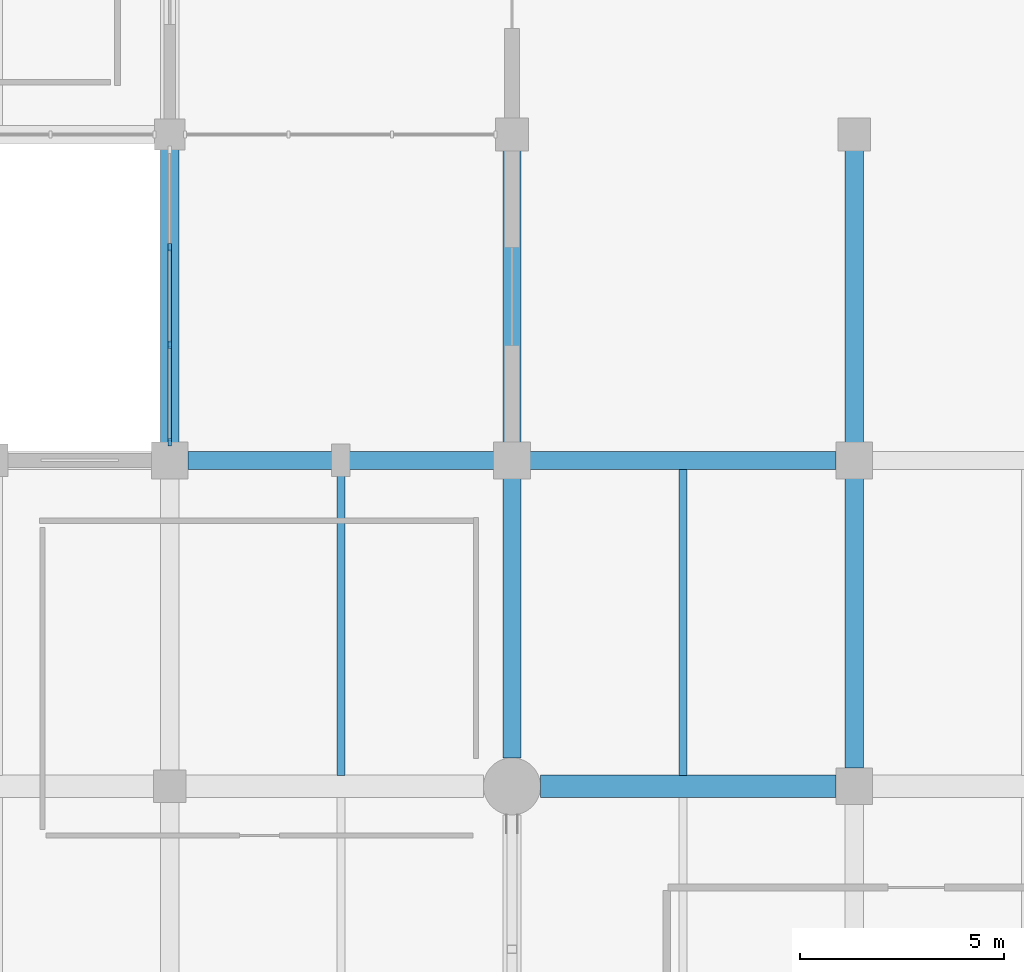
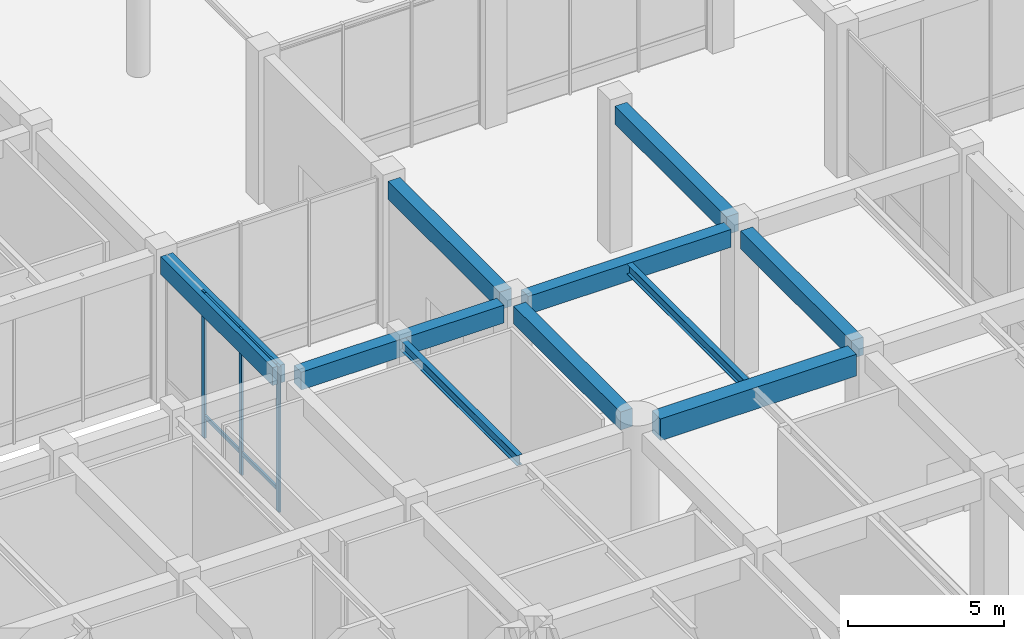
# One storey, part 20 of 76: 10 beams, 7 members, 1 element without a shape of its own.
"""IFC4 building model written with IfcOpenShell, lengths in metres."""

from ifc_helpers import new_model, si_unit, direction, frame, origin, origin_2d, place, context, subcontext, project, spatial, rectangle, i_section, extrude, material, layer, layer_set, material_profile, profile_set, type_object, element, aggregate, save


model = new_model("IFC4")

# Units and contexts
model_context = context("Model", 3, precision=1e-05, world=origin(), true_north=direction((0.0, 1.0)))
body_context = subcontext(model_context, "Body", "Model", "MODEL_VIEW")
ifc_project = project(units=[si_unit("LENGTHUNIT", "METRE"), si_unit("AREAUNIT", "SQUARE_METRE"), si_unit("VOLUMEUNIT", "CUBIC_METRE"), si_unit("PLANEANGLEUNIT", "RADIAN"), si_unit("MASSUNIT", "GRAM", prefix="KILO")], contexts=[model_context])

# Site, building, storey
site_placement = place(None, origin())
site = spatial("IfcSite", under=ifc_project, at=site_placement, CompositionType="ELEMENT")
building_placement = place(site_placement, origin())
building = spatial("IfcBuilding", under=site, at=building_placement, Name="Naruveol Harbour Congress Hotel", CompositionType="ELEMENT")
storey_placement = place(building_placement, origin())
storey = spatial("IfcBuildingStorey", under=building, at=storey_placement, Name="L00", CompositionType="ELEMENT", Elevation=0.0)

# Beams
ifc_material_1 = material(Name="Concrete C40/50", Category="concrete")
ifc_material_profile_1 = material_profile(ifc_material_1, rectangle(XDim=0.550048828125, YDim=0.85009765625, at=origin_2d()), Name="RCB-550x850")
ifc_profile_set_1 = profile_set([ifc_material_profile_1], Name="Concrete C40/50")
beam_type_1 = type_object("IfcBeamType", Name="RC PRIMARY GIRDER 550X850", PredefinedType="BEAM", material=ifc_profile_set_1)
beam_1_placement = place(storey_placement, frame((51.095947265625, 48.0, 5.27490234375), z_axis=(1.0, 0.0, 0.0), x_axis=(0.0, 1.0, 0.0)))
element("IfcBeam", 1, at=beam_1_placement, inside=storey, type_object=beam_type_1, Name="Floor girder L01 CB2", PredefinedType="BEAM", context=body_context, shape_type="SweptSolid", body=[
    extrude(rectangle(XDim=0.550048828125, YDim=0.85009765625, at=origin_2d()), origin(), (0.0, 0.0, 1.0), 7.258056640625),
])
ifc_material_2 = material(Name="Concrete C40/50", Category="concrete")
ifc_material_profile_2 = material_profile(ifc_material_2, rectangle(XDim=0.449951171875, YDim=0.699951171875, at=origin_2d()), Name="RCB-450x700")
ifc_profile_set_2 = profile_set([ifc_material_profile_2], Name="Concrete C40/50")
beam_type_2 = type_object("IfcBeamType", Name="RC SPANDREL BEAM 450X700", PredefinedType="SPANDREL", material=ifc_profile_set_2)
for number, where, z_axis, x_axis, name in (
    (2, (42.446044921875, 56.0, 5.330078125), (1.0, 0.0, 0.0), (0.0, 1.0, 0.0), "Floor girder L01 SPB1"),
    (3, (50.845947265625, 56.0, 5.35009765625), (1.0, 0.0, 0.0), (0.0, 1.0, 0.0), "Floor girder L01 SPB1"),
):
    element("IfcBeam", number, at=place(storey_placement, frame(where, z_axis=z_axis, x_axis=x_axis)), inside=storey, type_object=beam_type_2, Name=name, PredefinedType="SPANDREL", context=body_context, shape_type="SweptSolid", body=[
        extrude(rectangle(XDim=0.449951171875, YDim=0.699951171875, at=origin_2d()), origin(), (0.0, 0.0, 1.0), 7.508056640625),
    ])
beam_2_placement = place(storey_placement, frame((42.0, 56.446044921875, 5.330078125), z_axis=(0.0, 1.0, 0.0), x_axis=(-1.0, 0.0, 0.0)))
element("IfcBeam", 4, at=beam_2_placement, inside=storey, type_object=beam_type_2, Name="Transverse girder L01 SPB1", PredefinedType="SPANDREL", context=body_context, shape_type="SweptSolid", body=[
    extrude(rectangle(XDim=0.449951171875, YDim=0.699951171875, at=origin_2d()), origin(), (0.0, 0.0, 1.0), 7.182861328125),
])
beam_3_placement = place(storey_placement, frame((50.39990234375, 48.696044921875, 5.35009765625), z_axis=(0.0, 1.0, 0.0), x_axis=(-1.0, 0.0, 0.0)))
element("IfcBeam", 5, at=beam_3_placement, inside=storey, type_object=beam_type_2, Name="Transverse girder L01 SPB1", PredefinedType="SPANDREL", context=body_context, shape_type="SweptSolid", body=[
    extrude(rectangle(XDim=0.449951171875, YDim=0.699951171875, at=origin_2d()), origin(), (0.0, 0.0, 1.0), 6.85791015625),
])
beam_4_placement = place(storey_placement, frame((50.39990234375, 56.446044921875, 5.35009765625), z_axis=(0.0, 1.0, 0.0), x_axis=(-1.0, 0.0, 0.0)))
element("IfcBeam", 6, at=beam_4_placement, inside=storey, type_object=beam_type_2, Name="Transverse girder L01 SPB1", PredefinedType="SPANDREL", context=body_context, shape_type="SweptSolid", body=[
    extrude(rectangle(XDim=0.449951171875, YDim=0.699951171875, at=origin_2d()), origin(), (0.0, 0.0, 1.0), 7.157958984375),
])
beam_5_placement = place(storey_placement, frame((58.800048828125, 48.446044921875, 5.35009765625), z_axis=(0.0, 1.0, 0.0), x_axis=(-1.0, 0.0, 0.0)))
element("IfcBeam", 7, at=beam_5_placement, inside=storey, type_object=beam_type_2, Name="Transverse girder L01 SPB1", PredefinedType="SPANDREL", context=body_context, shape_type="SweptSolid", body=[
    extrude(rectangle(XDim=0.449951171875, YDim=0.699951171875, at=origin_2d()), origin(), (0.0, 0.0, 1.0), 7.10791015625),
])
beam_6_placement = place(storey_placement, frame((58.800048828125, 56.446044921875, 5.35009765625), z_axis=(0.0, 1.0, 0.0), x_axis=(-1.0, 0.0, 0.0)))
element("IfcBeam", 8, at=beam_6_placement, inside=storey, type_object=beam_type_2, Name="Transverse girder L01 SPB1", PredefinedType="SPANDREL", context=body_context, shape_type="SweptSolid", body=[
    extrude(rectangle(XDim=0.449951171875, YDim=0.699951171875, at=origin_2d()), origin(), (0.0, 0.0, 1.0), 7.157958984375),
])
ifc_material_3 = material(Name="Steel SN490", Category="steel")
ifc_material_profile_3 = material_profile(ifc_material_3, i_section(OverallWidth=0.199951171875, OverallDepth=0.39990234375, WebThickness=0.008056640625, FlangeThickness=0.012939453125, at=origin_2d()), Name="H-400x200x8x13")
ifc_profile_set_3 = profile_set([ifc_material_profile_3], Name="Steel SN490")
beam_type_3 = type_object("IfcBeamType", Name="STEEL SECONDARY JOIST H400", PredefinedType="JOIST", material=ifc_profile_set_3)
for number, where, z_axis, x_axis, name in (
    (9, (46.199951171875, 48.27099609375, 5.47998046875), (0.0, 1.0, 0.0), (-1.0, 0.0, 0.0), "Secondary floor joist L01 SJ1"),
    (10, (54.60009765625, 48.27099609375, 5.5), (0.0, 1.0, 0.0), (-1.0, 0.0, 0.0), "Secondary floor joist L01 SJ1"),
):
    element("IfcBeam", number, at=place(storey_placement, frame(where, z_axis=z_axis, x_axis=x_axis)), inside=storey, type_object=beam_type_3, Name=name, PredefinedType="JOIST", context=body_context, shape_type="SweptSolid", body=[
        extrude(i_section(OverallWidth=0.199951171875, OverallDepth=0.39990234375, WebThickness=0.008056640625, FlangeThickness=0.012939453125, at=origin_2d()), origin(), (0.0, 0.0, 1.0), 7.508056640625),
    ])

# Curtain wall, members
ifc_material_4 = material(Name="Low-E Curtain Wall System", Category="glass")
ifc_layer = layer(ifc_material_4, 0.179931640625)
ifc_layer_set = layer_set([ifc_layer], Name="Low-E Curtain Wall System")
curtain_wall_type = type_object("IfcCurtainWallType", Name="UNITISED CURTAIN WALL CW-SPLW-09 7175X5700", PredefinedType="USERDEFINED", material=ifc_layer_set)
curtain_wall_placement = place(storey_placement, origin())
curtain_wall = element("IfcCurtainWall", 11, at=curtain_wall_placement, inside=storey, type_object=curtain_wall_type, Name="Unitised curtain wall CW-SPLW-09 L00", ObjectType="UNITISED GLAZING", PredefinedType="USERDEFINED")
ifc_material_5 = material(Name="Anodised Aluminium 6063-T6", Category="aluminium")
ifc_material_profile_4 = material_profile(ifc_material_5, rectangle(XDim=0.074951171875, YDim=0.179931640625, at=origin_2d()), Name="ALU-75x180")
ifc_profile_set_4 = profile_set([ifc_material_profile_4], Name="Anodised Aluminium 6063-T6")
member_type_1 = type_object("IfcMemberType", Name="THERMAL ALUMINIUM MULLION 75X180", PredefinedType="MULLION", material=ifc_profile_set_4)
member_1_placement = place(storey_placement, frame((42.0, 56.449951171875, 0.0), z_axis=(0.0, 0.0, 1.0), x_axis=(1.0, 0.0, 0.0)))
member_1 = element("IfcMember", 12, at=member_1_placement, type_object=member_type_1, Name="Curtain wall mullion CW-L00-0010-M0", PredefinedType="MULLION", context=body_context, shape_type="SweptSolid", body=[
    extrude(rectangle(XDim=0.074951171875, YDim=0.179931640625, at=origin_2d()), origin(), (0.0, 0.0, 1.0), 5.699951171875),
])
member_2_placement = place(storey_placement, frame((42.0, 58.841796875, 0.0), z_axis=(0.0, 0.0, 1.0), x_axis=(1.0, 0.0, 0.0)))
member_2 = element("IfcMember", 13, at=member_2_placement, type_object=member_type_1, Name="Curtain wall mullion CW-L00-0010-M1", PredefinedType="MULLION", context=body_context, shape_type="SweptSolid", body=[
    extrude(rectangle(XDim=0.074951171875, YDim=0.179931640625, at=origin_2d()), origin(), (0.0, 0.0, 1.0), 5.699951171875),
])
member_3_placement = place(storey_placement, frame((42.0, 61.2333984375, 0.0), z_axis=(0.0, 0.0, 1.0), x_axis=(1.0, 0.0, 0.0)))
member_3 = element("IfcMember", 14, at=member_3_placement, type_object=member_type_1, Name="Curtain wall mullion CW-L00-0010-M2", PredefinedType="MULLION", context=body_context, shape_type="SweptSolid", body=[
    extrude(rectangle(XDim=0.074951171875, YDim=0.179931640625, at=origin_2d()), origin(), (0.0, 0.0, 1.0), 5.699951171875),
])
ifc_material_6 = material(Name="Anodised Aluminium 6063-T6", Category="aluminium")
ifc_material_profile_5 = material_profile(ifc_material_6, rectangle(XDim=0.074951171875, YDim=0.14990234375, at=origin_2d()), Name="ALU-75x150")
ifc_profile_set_5 = profile_set([ifc_material_profile_5], Name="Anodised Aluminium 6063-T6")
member_type_2 = type_object("IfcMemberType", Name="THERMAL ALUMINIUM TRANSOM 75X150", PredefinedType="USERDEFINED", material=ifc_profile_set_5)
member_4_placement = place(storey_placement, frame((42.0, 56.489990234375, 0.85009765625), z_axis=(0.0, 1.0, 0.0), x_axis=(-1.0, 0.0, 0.0)))
member_4 = element("IfcMember", 15, at=member_4_placement, type_object=member_type_2, Name="Curtain wall transom CW-L00-0010-T0.1", ObjectType="TRANSOM", PredefinedType="USERDEFINED", context=body_context, shape_type="SweptSolid", body=[
    extrude(rectangle(XDim=0.074951171875, YDim=0.14990234375, at=origin_2d()), origin(), (0.0, 0.0, 1.0), 2.311767578125),
])
member_5_placement = place(storey_placement, frame((42.0, 56.489990234375, 5.6201171875), z_axis=(0.0, 1.0, 0.0), x_axis=(-1.0, 0.0, 0.0)))
member_5 = element("IfcMember", 16, at=member_5_placement, type_object=member_type_2, Name="Curtain wall transom CW-L00-0010-T0.2", ObjectType="TRANSOM", PredefinedType="USERDEFINED", context=body_context, shape_type="SweptSolid", body=[
    extrude(rectangle(XDim=0.074951171875, YDim=0.14990234375, at=origin_2d()), origin(), (0.0, 0.0, 1.0), 2.311767578125),
])
member_6_placement = place(storey_placement, frame((42.0, 58.881591796875, 0.85009765625), z_axis=(0.0, 1.0, 0.0), x_axis=(-1.0, 0.0, 0.0)))
member_6 = element("IfcMember", 17, at=member_6_placement, type_object=member_type_2, Name="Curtain wall transom CW-L00-0010-T1.1", ObjectType="TRANSOM", PredefinedType="USERDEFINED", context=body_context, shape_type="SweptSolid", body=[
    extrude(rectangle(XDim=0.074951171875, YDim=0.14990234375, at=origin_2d()), origin(), (0.0, 0.0, 1.0), 2.311767578125),
])
member_7_placement = place(storey_placement, frame((42.0, 58.881591796875, 5.6201171875), z_axis=(0.0, 1.0, 0.0), x_axis=(-1.0, 0.0, 0.0)))
member_7 = element("IfcMember", 18, at=member_7_placement, type_object=member_type_2, Name="Curtain wall transom CW-L00-0010-T1.2", ObjectType="TRANSOM", PredefinedType="USERDEFINED", context=body_context, shape_type="SweptSolid", body=[
    extrude(rectangle(XDim=0.074951171875, YDim=0.14990234375, at=origin_2d()), origin(), (0.0, 0.0, 1.0), 2.311767578125),
])
aggregate(curtain_wall, [member_1, member_2, member_3, member_4, member_5, member_6, member_7])

save(model, "model.ifc")
